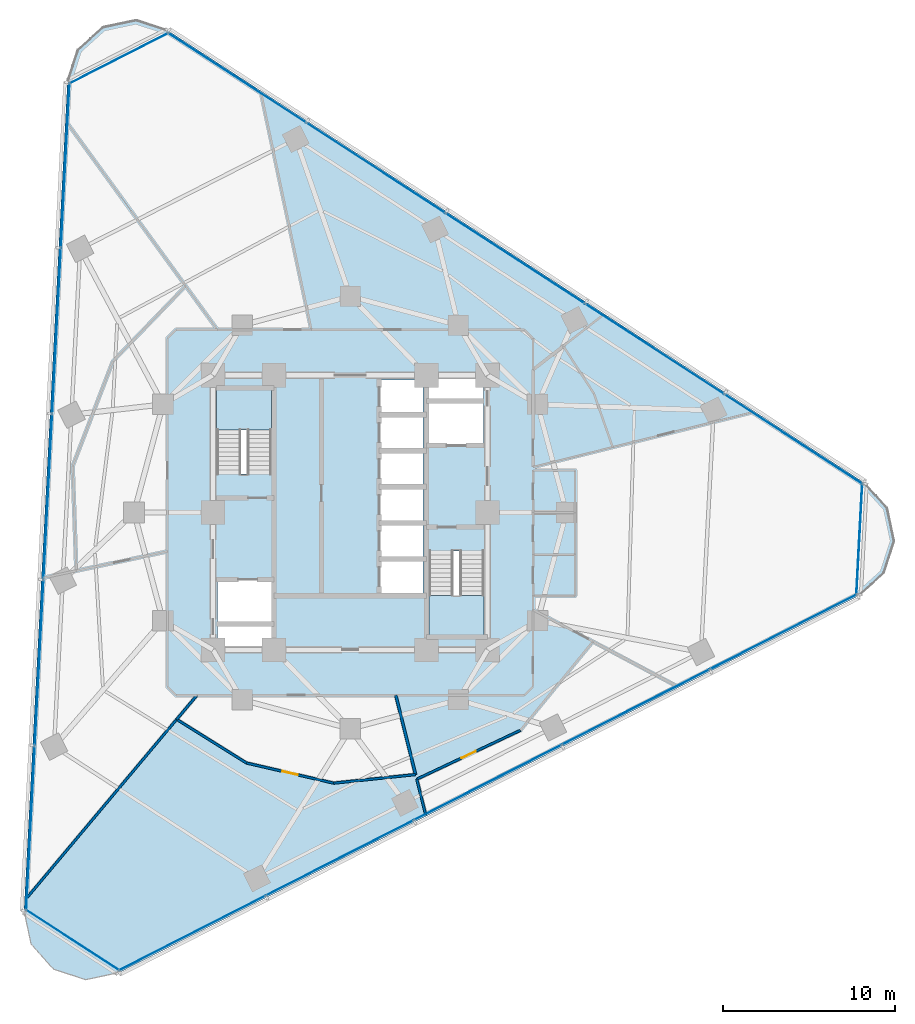
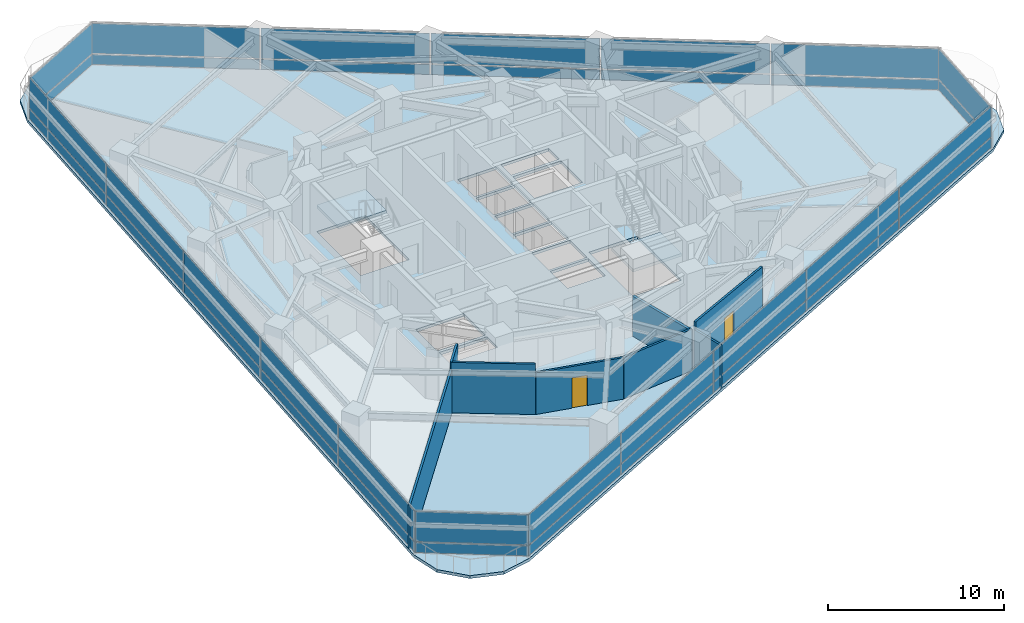
# One storey, part 7 of 14: 36 plates, 8 walls, 3 slabs, 2 doors, 2 openings, 8 elements without a shape of their own.
"""IFC4 building model written with IfcOpenShell, lengths in metres."""

from ifc_helpers import new_model, si_unit, direction, frame, frame_2d, origin, origin_2d, place, context, subcontext, project, spatial, polyline, rectangle, outline, extrude, material, layer, layer_set, type_object, element, fill, aggregate, save


model = new_model("IFC4")

# Units and contexts
model_context = context("Model", 3, precision=1e-05, world=origin(), true_north=direction((0.0, 1.0)))
body_context = subcontext(model_context, "Body", "Model", "MODEL_VIEW")
ifc_project = project(units=[si_unit("LENGTHUNIT", "METRE"), si_unit("AREAUNIT", "SQUARE_METRE"), si_unit("VOLUMEUNIT", "CUBIC_METRE"), si_unit("PLANEANGLEUNIT", "RADIAN"), si_unit("MASSUNIT", "GRAM", prefix="KILO")], contexts=[model_context])

# Site, building, storey
site_placement = place(None, origin())
site = spatial("IfcSite", under=ifc_project, at=site_placement, CompositionType="ELEMENT")
building_placement = place(site_placement, origin())
building = spatial("IfcBuilding", under=site, at=building_placement, Name="Terralouvre Media Tower", CompositionType="ELEMENT")
storey_placement = place(building_placement, frame((0.0, 0.0, 119.89990234375)))
storey = spatial("IfcBuildingStorey", under=building, at=storey_placement, Name="L30", CompositionType="ELEMENT", Elevation=119.89990234375)

# Slab
ifc_material_1 = material(Name="Concrete C40/50", Category="concrete")
ifc_layer_1 = layer(ifc_material_1, 0.199951171875, Name="Composite Tower Floor Slab S-TYP200")
ifc_layer_set_1 = layer_set([ifc_layer_1], Name="Concrete C40/50")
slab_type_1 = type_object("IfcSlabType", Name="Composite Tower Floor Slab S-TYP200", PredefinedType="FLOOR", material=ifc_layer_set_1)
slab_1_placement = place(storey_placement, frame((0.0, 0.0, -0.199951171875), z_axis=(0.0, 0.0, 1.0), x_axis=(0.891006524188, 0.45399049974, 0.0)))
element("IfcSlab", 1, at=slab_1_placement, inside=storey, type_object=slab_type_1, Name="L30 Structural Floor Slab", PredefinedType="FLOOR", context=body_context, shape_type="SweptSolid", body=[
    extrude(outline(polyline([(-27.490966796875, -12.07177734375), (-28.0, -13.971923828125), (-27.490966796875, -15.871826171875), (-26.10009765625, -17.2626953125), (-24.199951171875, -17.77197265625), (24.199951171875, -17.77197265625), (26.10009765625, -17.2626953125), (27.490966796875, -15.871826171875), (28.0, -13.971923828125), (27.490966796875, -12.07177734375), (3.291015625, 29.84375), (1.89990234375, 31.234619140625), (0.0, 31.74365234375), (-1.89990234375, 31.234619140625), (-3.291015625, 29.84375), (-27.490966796875, -12.07177734375)]), holes=[polyline([(-7.094970703125, -3.792236328125), (-7.6396484375, -4.861572265625), (-10.446533203125, -3.431396484375), (-9.901611328125, -2.3623046875), (-7.094970703125, -3.792236328125)]), polyline([(-7.004150390625, -3.614013671875), (-9.810791015625, -2.18408203125), (-8.698486328125, -0.0009765625), (-5.891845703125, -1.43115234375), (-7.004150390625, -3.614013671875)]), polyline([(4.504150390625, -0.521728515625), (2.276611328125, 0.61328125), (3.1572265625, 2.341796875), (5.384765625, 1.206787109375), (4.504150390625, -0.521728515625)]), polyline([(6.338134765625, 3.077880859375), (5.45751953125, 1.349365234375), (3.22998046875, 2.484375), (4.110595703125, 4.212890625), (6.338134765625, 3.077880859375)]), polyline([(-3.079345703125, 4.088623046875), (-5.912841796875, 5.532470703125), (-3.635986328125, 10.000732421875), (-0.802734375, 8.55712890625), (-3.079345703125, 4.088623046875)]), polyline([(6.410888671875, 3.220458984375), (4.183349609375, 4.35546875), (5.06396484375, 6.083984375), (7.29150390625, 4.94921875), (6.410888671875, 3.220458984375)]), polyline([(0.802734375, -8.55712890625), (3.079345703125, -4.088623046875), (5.912841796875, -5.532470703125), (3.635986328125, -10.000732421875), (0.802734375, -8.55712890625)]), polyline([(1.64404296875, -6.135009765625), (-0.58349609375, -5.0), (0.297119140625, -3.271484375), (2.524658203125, -4.406494140625), (1.64404296875, -6.135009765625)]), polyline([(2.597412109375, -4.263916015625), (0.369873046875, -3.12890625), (1.25048828125, -1.400390625), (3.47802734375, -2.535400390625), (2.597412109375, -4.263916015625)]), polyline([(4.431396484375, -0.664306640625), (3.55078125, -2.392822265625), (1.3232421875, -1.2578125), (2.203857421875, 0.470703125), (4.431396484375, -0.664306640625)]), polyline([(8.698486328125, 0.0009765625), (5.891845703125, 1.43115234375), (7.004150390625, 3.614013671875), (9.810791015625, 2.18408203125), (8.698486328125, 0.0009765625)]), polyline([(9.901611328125, 2.3623046875), (7.094970703125, 3.792236328125), (7.6396484375, 4.861572265625), (10.446533203125, 3.431396484375), (9.901611328125, 2.3623046875)])]), origin(), (0.0, 0.0, 1.0), 0.199951171875),
])

# Stair, slab
ifc_material_2 = material(Name="Concrete C45/55", Category="concrete")
stair_type_1 = type_object("IfcStairType", Name="Dogleg Stair Assembly ST-01", PredefinedType="HALF_TURN_STAIR", material=ifc_material_2)
stair_1_placement = place(storey_placement, origin())
stair_1 = element("IfcStair", 2, at=stair_1_placement, inside=storey, type_object=stair_type_1, Name="L30 Core Pressurised Exit Stair ST-01", PredefinedType="HALF_TURN_STAIR")
ifc_material_3 = material(Name="Concrete C45/55", Category="concrete")
ifc_layer_2 = layer(ifc_material_3, 0.199951171875, Name="Reinforced Concrete Stair Half-Landing SL-LD1")
ifc_layer_set_2 = layer_set([ifc_layer_2], Name="Concrete C45/55")
slab_type_2 = type_object("IfcSlabType", Name="Reinforced Concrete Stair Half-Landing SL-LD1", PredefinedType="LANDING", material=ifc_layer_set_2)
slab_2_placement = place(storey_placement, frame((0.0, 0.0, 1.650146484375)))
slab_2 = element("IfcSlab", 3, at=slab_2_placement, type_object=slab_type_2, Name="ST-01 landing 1", PredefinedType="LANDING", context=body_context, shape_type="SweptSolid", body=[
    extrude(outline(polyline([(-4.60009765625, 4.820068359375), (-4.60009765625, 7.260009765625), (-7.780029296875, 7.260009765625), (-7.780029296875, 4.820068359375), (-4.60009765625, 4.820068359375)])), origin(), (0.0, 0.0, 1.0), 0.199951171875),
])
aggregate(stair_1, [slab_2])

ifc_material_4 = material(Name="Concrete C45/55", Category="concrete")
stair_type_2 = type_object("IfcStairType", Name="Dogleg Stair Assembly ST-02", PredefinedType="HALF_TURN_STAIR", material=ifc_material_4)
stair_2_placement = place(storey_placement, origin())
stair_2 = element("IfcStair", 4, at=stair_2_placement, inside=storey, type_object=stair_type_2, Name="L30 Core Pressurised Exit Stair ST-02", PredefinedType="HALF_TURN_STAIR")
slab_3_placement = place(storey_placement, frame((0.0, 0.0, 1.650146484375)))
slab_3 = element("IfcSlab", 5, at=slab_3_placement, type_object=slab_type_2, Name="ST-02 landing 1", PredefinedType="LANDING", context=body_context, shape_type="SweptSolid", body=[
    extrude(outline(polyline([(4.60009765625, -4.820068359375), (4.60009765625, -7.260009765625), (7.780029296875, -7.260009765625), (7.780029296875, -4.820068359375), (4.60009765625, -4.820068359375)])), origin(), (0.0, 0.0, 1.0), 0.199951171875),
])
aggregate(stair_2, [slab_3])

# Curtain wall, plates
ifc_material_5 = material(Name="Low-iron laminated double glazing with solar-control coating", Category="glass")
ifc_layer_3 = layer(ifc_material_5, 0.1650390625, Name="Rounded Wind-Corner Curved Glazing CW-04")
ifc_layer_set_3 = layer_set([ifc_layer_3], Name="Low-iron laminated double glazing with solar-control coating")
curtain_wall_type_1 = type_object("IfcCurtainWallType", Name="Rounded Wind-Corner Curved Glazing CW-04", PredefinedType="NOTDEFINED", material=ifc_layer_set_3)
curtain_wall_1_placement = place(storey_placement, origin())
curtain_wall_1 = element("IfcCurtainWall", 6, at=curtain_wall_1_placement, inside=storey, type_object=curtain_wall_type_1, Name="L30 Rounded Wind-Corner Curtain Wall C0", PredefinedType="NOTDEFINED")
ifc_material_6 = material(Name="Low-iron laminated double glazing with solar-control coating", Category="glass")
ifc_layer_4 = layer(ifc_material_6, 0.0400390625, Name="Rounded Corner Laminated Vision Panel CWP-03")
ifc_layer_set_4 = layer_set([ifc_layer_4], Name="Low-iron laminated double glazing with solar-control coating")
plate_type_1 = type_object("IfcPlateType", Name="Rounded Corner Laminated Vision Panel CWP-03", PredefinedType="CURTAIN_PANEL", material=ifc_layer_set_4)
plate_1_placement = place(storey_placement, frame((-16.177734375, -24.91162109375, 0.0751953125), z_axis=(0.0, 0.0, 1.0), x_axis=(0.838670390568, -0.544639308152, 0.0)))
plate_1 = element("IfcPlate", 7, at=plate_1_placement, type_object=plate_type_1, Name="CW-04 panel 1.1", PredefinedType="CURTAIN_PANEL", context=body_context, shape_type="SweptSolid", body=[
    extrude(rectangle(XDim=6.431884765625, YDim=0.035888671875, at=origin_2d()), origin(), (0.0, 0.0, 1.0), 0.6875),
])
plate_2_placement = place(storey_placement, frame((-16.177734375, -24.91162109375, 0.837646484375), z_axis=(0.0, 0.0, 1.0), x_axis=(0.838670390568, -0.544639308152, 0.0)))
plate_2 = element("IfcPlate", 8, at=plate_2_placement, type_object=plate_type_1, Name="CW-04 panel 1.2", PredefinedType="CURTAIN_PANEL", context=body_context, shape_type="SweptSolid", body=[
    extrude(rectangle(XDim=6.431884765625, YDim=0.035888671875, at=origin_2d()), origin(), (0.0, 0.0, 1.0), 2.08740234375),
])
aggregate(curtain_wall_1, [plate_1, plate_2])

curtain_wall_2_placement = place(storey_placement, origin())
curtain_wall_2 = element("IfcCurtainWall", 9, at=curtain_wall_2_placement, inside=storey, type_object=curtain_wall_type_1, Name="L30 Rounded Wind-Corner Curtain Wall C1", PredefinedType="NOTDEFINED")
plate_3_placement = place(storey_placement, frame((29.6630859375, -1.5546875, 0.0751953125), z_axis=(0.0, 0.0, 1.0), x_axis=(0.052336823006, 0.998629489329, 0.0)))
plate_3 = element("IfcPlate", 10, at=plate_3_placement, type_object=plate_type_1, Name="CW-04 panel 1.1", PredefinedType="CURTAIN_PANEL", context=body_context, shape_type="SweptSolid", body=[
    extrude(rectangle(XDim=6.431884765625, YDim=0.035888671875, at=origin_2d()), origin(), (0.0, 0.0, 1.0), 0.6875),
])
plate_4_placement = place(storey_placement, frame((29.6630859375, -1.5546875, 0.837646484375), z_axis=(0.0, 0.0, 1.0), x_axis=(0.052336823006, 0.998629489329, 0.0)))
plate_4 = element("IfcPlate", 11, at=plate_4_placement, type_object=plate_type_1, Name="CW-04 panel 1.2", PredefinedType="CURTAIN_PANEL", context=body_context, shape_type="SweptSolid", body=[
    extrude(rectangle(XDim=6.431884765625, YDim=0.035888671875, at=origin_2d()), origin(), (0.0, 0.0, 1.0), 2.08740234375),
])
aggregate(curtain_wall_2, [plate_3, plate_4])

curtain_wall_3_placement = place(storey_placement, origin())
curtain_wall_3 = element("IfcCurtainWall", 12, at=curtain_wall_3_placement, inside=storey, type_object=curtain_wall_type_1, Name="L30 Rounded Wind-Corner Curtain Wall C2", PredefinedType="NOTDEFINED")
plate_5_placement = place(storey_placement, frame((-13.485107421875, 26.46630859375, 0.0751953125), z_axis=(0.0, 0.0, 1.0), x_axis=(-0.891006600184, -0.45399035059, 0.0)))
plate_5 = element("IfcPlate", 13, at=plate_5_placement, type_object=plate_type_1, Name="CW-04 panel 1.1", PredefinedType="CURTAIN_PANEL", context=body_context, shape_type="SweptSolid", body=[
    extrude(rectangle(XDim=6.431884765625, YDim=0.035888671875, at=origin_2d()), origin(), (0.0, 0.0, 1.0), 0.6875),
])
plate_6_placement = place(storey_placement, frame((-13.485107421875, 26.46630859375, 0.837646484375), z_axis=(0.0, 0.0, 1.0), x_axis=(-0.891006600184, -0.45399035059, 0.0)))
plate_6 = element("IfcPlate", 14, at=plate_6_placement, type_object=plate_type_1, Name="CW-04 panel 1.2", PredefinedType="CURTAIN_PANEL", context=body_context, shape_type="SweptSolid", body=[
    extrude(rectangle(XDim=6.431884765625, YDim=0.035888671875, at=origin_2d()), origin(), (0.0, 0.0, 1.0), 2.08740234375),
])
aggregate(curtain_wall_3, [plate_5, plate_6])

ifc_material_7 = material(Name="Low-iron laminated double glazing with solar-control coating", Category="glass")
ifc_layer_5 = layer(ifc_material_7, 0.1650390625, Name="Production Studio Tower Curtain Wall CW-03")
ifc_layer_set_5 = layer_set([ifc_layer_5], Name="Low-iron laminated double glazing with solar-control coating")
curtain_wall_type_2 = type_object("IfcCurtainWallType", Name="Production Studio Tower Curtain Wall CW-03", PredefinedType="NOTDEFINED", material=ifc_layer_set_5)
curtain_wall_4_placement = place(storey_placement, origin())
curtain_wall_4 = element("IfcCurtainWall", 15, at=curtain_wall_4_placement, inside=storey, type_object=curtain_wall_type_2, Name="L30 Facade Curtain Wall F0", PredefinedType="NOTDEFINED")
ifc_material_8 = material(Name="Low-iron laminated double glazing with solar-control coating", Category="glass")
ifc_layer_6 = layer(ifc_material_8, 0.035888671875, Name="Vision Double-Glazed Unit CWP-01")
ifc_layer_set_6 = layer_set([ifc_layer_6], Name="Low-iron laminated double glazing with solar-control coating")
plate_type_2 = type_object("IfcPlateType", Name="Vision Double-Glazed Unit CWP-01", PredefinedType="CURTAIN_PANEL", material=ifc_layer_set_6)
plate_7_placement = place(storey_placement, frame((-9.219482421875, -24.5087890625, 0.0751953125), z_axis=(0.0, 0.0, 1.0), x_axis=(0.891006501178, 0.4539905449, 0.0)))
plate_7 = element("IfcPlate", 16, at=plate_7_placement, type_object=plate_type_2, Name="CW-03 panel 1.1", PredefinedType="CURTAIN_PANEL", context=body_context, shape_type="SweptSolid", body=[
    extrude(rectangle(XDim=9.5673828125, YDim=0.035888671875, at=origin_2d()), origin(), (0.0, 0.0, 1.0), 0.6875),
])
plate_8_placement = place(storey_placement, frame((-9.219482421875, -24.5087890625, 0.837646484375), z_axis=(0.0, 0.0, 1.0), x_axis=(0.891006501178, 0.4539905449, 0.0)))
plate_8 = element("IfcPlate", 17, at=plate_8_placement, type_object=plate_type_2, Name="CW-03 panel 1.2", PredefinedType="CURTAIN_PANEL", context=body_context, shape_type="SweptSolid", body=[
    extrude(rectangle(XDim=9.5673828125, YDim=0.035888671875, at=origin_2d()), origin(), (0.0, 0.0, 1.0), 2.08740234375),
])
plate_9_placement = place(storey_placement, frame((-0.611083984375, -20.12255859375, 0.0751953125), z_axis=(0.0, 0.0, 1.0), x_axis=(0.891006501178, 0.4539905449, 0.0)))
plate_9 = element("IfcPlate", 18, at=plate_9_placement, type_object=plate_type_2, Name="CW-03 panel 2.1", PredefinedType="CURTAIN_PANEL", context=body_context, shape_type="SweptSolid", body=[
    extrude(rectangle(XDim=9.60498046875, YDim=0.035888671875, at=origin_2d()), origin(), (0.0, 0.0, 1.0), 0.6875),
])
plate_10_placement = place(storey_placement, frame((-0.611083984375, -20.12255859375, 0.837646484375), z_axis=(0.0, 0.0, 1.0), x_axis=(0.891006501178, 0.4539905449, 0.0)))
plate_10 = element("IfcPlate", 19, at=plate_10_placement, type_object=plate_type_2, Name="CW-03 panel 2.2", PredefinedType="CURTAIN_PANEL", context=body_context, shape_type="SweptSolid", body=[
    extrude(rectangle(XDim=9.60498046875, YDim=0.035888671875, at=origin_2d()), origin(), (0.0, 0.0, 1.0), 2.08740234375),
])
plate_11_placement = place(storey_placement, frame((8.013671875, -15.72802734375, 0.0751953125), z_axis=(0.0, 0.0, 1.0), x_axis=(0.891006501178, 0.4539905449, 0.0)))
plate_11 = element("IfcPlate", 20, at=plate_11_placement, type_object=plate_type_2, Name="CW-03 panel 3.1", PredefinedType="CURTAIN_PANEL", context=body_context, shape_type="SweptSolid", body=[
    extrude(rectangle(XDim=9.60498046875, YDim=0.035888671875, at=origin_2d()), origin(), (0.0, 0.0, 1.0), 0.6875),
])
plate_12_placement = place(storey_placement, frame((8.013671875, -15.72802734375, 0.837646484375), z_axis=(0.0, 0.0, 1.0), x_axis=(0.891006501178, 0.4539905449, 0.0)))
plate_12 = element("IfcPlate", 21, at=plate_12_placement, type_object=plate_type_2, Name="CW-03 panel 3.2", PredefinedType="CURTAIN_PANEL", context=body_context, shape_type="SweptSolid", body=[
    extrude(rectangle(XDim=9.60498046875, YDim=0.035888671875, at=origin_2d()), origin(), (0.0, 0.0, 1.0), 2.08740234375),
])
plate_13_placement = place(storey_placement, frame((16.638671875, -11.333251953125, 0.0751953125), z_axis=(0.0, 0.0, 1.0), x_axis=(0.891006501178, 0.4539905449, 0.0)))
plate_13 = element("IfcPlate", 22, at=plate_13_placement, type_object=plate_type_2, Name="CW-03 panel 4.1", PredefinedType="CURTAIN_PANEL", context=body_context, shape_type="SweptSolid", body=[
    extrude(rectangle(XDim=9.60498046875, YDim=0.035888671875, at=origin_2d()), origin(), (0.0, 0.0, 1.0), 0.6875),
])
plate_14_placement = place(storey_placement, frame((16.638671875, -11.333251953125, 0.837646484375), z_axis=(0.0, 0.0, 1.0), x_axis=(0.891006501178, 0.4539905449, 0.0)))
plate_14 = element("IfcPlate", 23, at=plate_14_placement, type_object=plate_type_2, Name="CW-03 panel 4.2", PredefinedType="CURTAIN_PANEL", context=body_context, shape_type="SweptSolid", body=[
    extrude(rectangle(XDim=9.60498046875, YDim=0.035888671875, at=origin_2d()), origin(), (0.0, 0.0, 1.0), 2.08740234375),
])
plate_15_placement = place(storey_placement, frame((25.2470703125, -6.947265625, 0.0751953125), z_axis=(0.0, 0.0, 1.0), x_axis=(0.891006501178, 0.4539905449, 0.0)))
plate_15 = element("IfcPlate", 24, at=plate_15_placement, type_object=plate_type_2, Name="CW-03 panel 5.1", PredefinedType="CURTAIN_PANEL", context=body_context, shape_type="SweptSolid", body=[
    extrude(rectangle(XDim=9.5673828125, YDim=0.035888671875, at=origin_2d()), origin(), (0.0, 0.0, 1.0), 0.6875),
])
plate_16_placement = place(storey_placement, frame((25.2470703125, -6.947265625, 0.837646484375), z_axis=(0.0, 0.0, 1.0), x_axis=(0.891006501178, 0.4539905449, 0.0)))
plate_16 = element("IfcPlate", 25, at=plate_16_placement, type_object=plate_type_2, Name="CW-03 panel 5.2", PredefinedType="CURTAIN_PANEL", context=body_context, shape_type="SweptSolid", body=[
    extrude(rectangle(XDim=9.5673828125, YDim=0.035888671875, at=origin_2d()), origin(), (0.0, 0.0, 1.0), 2.08740234375),
])
aggregate(curtain_wall_4, [plate_7, plate_8, plate_9, plate_10, plate_11, plate_12, plate_13, plate_14, plate_15, plate_16])

curtain_wall_5_placement = place(storey_placement, origin())
curtain_wall_5 = element("IfcCurtainWall", 26, at=curtain_wall_5_placement, inside=storey, type_object=curtain_wall_type_2, Name="L30 Facade Curtain Wall F1", PredefinedType="NOTDEFINED")
plate_17_placement = place(storey_placement, frame((25.8349609375, 4.27001953125, 0.0751953125), z_axis=(0.0, 0.0, 1.0), x_axis=(-0.838670588944, 0.544639002681, 0.0)))
plate_17 = element("IfcPlate", 27, at=plate_17_placement, type_object=plate_type_2, Name="CW-03 panel 1.1", PredefinedType="CURTAIN_PANEL", context=body_context, shape_type="SweptSolid", body=[
    extrude(rectangle(XDim=9.5673828125, YDim=0.035888671875, at=origin_2d()), origin(), (0.0, 0.0, 1.0), 0.6875),
])
plate_18_placement = place(storey_placement, frame((25.8349609375, 4.27001953125, 0.837646484375), z_axis=(0.0, 0.0, 1.0), x_axis=(-0.838670588944, 0.544639002681, 0.0)))
plate_18 = element("IfcPlate", 28, at=plate_18_placement, type_object=plate_type_2, Name="CW-03 panel 1.2", PredefinedType="CURTAIN_PANEL", context=body_context, shape_type="SweptSolid", body=[
    extrude(rectangle(XDim=9.5673828125, YDim=0.035888671875, at=origin_2d()), origin(), (0.0, 0.0, 1.0), 2.08740234375),
])
plate_19_placement = place(storey_placement, frame((17.732177734375, 9.531982421875, 0.0751953125), z_axis=(0.0, 0.0, 1.0), x_axis=(-0.838670588944, 0.544639002681, 0.0)))
plate_19 = element("IfcPlate", 29, at=plate_19_placement, type_object=plate_type_2, Name="CW-03 panel 2.1", PredefinedType="CURTAIN_PANEL", context=body_context, shape_type="SweptSolid", body=[
    extrude(rectangle(XDim=9.60498046875, YDim=0.035888671875, at=origin_2d()), origin(), (0.0, 0.0, 1.0), 0.6875),
])
plate_20_placement = place(storey_placement, frame((17.732177734375, 9.531982421875, 0.837646484375), z_axis=(0.0, 0.0, 1.0), x_axis=(-0.838670588944, 0.544639002681, 0.0)))
plate_20 = element("IfcPlate", 30, at=plate_20_placement, type_object=plate_type_2, Name="CW-03 panel 2.2", PredefinedType="CURTAIN_PANEL", context=body_context, shape_type="SweptSolid", body=[
    extrude(rectangle(XDim=9.60498046875, YDim=0.035888671875, at=origin_2d()), origin(), (0.0, 0.0, 1.0), 2.08740234375),
])
plate_21_placement = place(storey_placement, frame((9.614013671875, 14.80419921875, 0.0751953125), z_axis=(0.0, 0.0, 1.0), x_axis=(-0.838670588944, 0.544639002681, 0.0)))
plate_21 = element("IfcPlate", 31, at=plate_21_placement, type_object=plate_type_2, Name="CW-03 panel 3.1", PredefinedType="CURTAIN_PANEL", context=body_context, shape_type="SweptSolid", body=[
    extrude(rectangle(XDim=9.60498046875, YDim=0.035888671875, at=origin_2d()), origin(), (0.0, 0.0, 1.0), 0.6875),
])
plate_22_placement = place(storey_placement, frame((9.614013671875, 14.80419921875, 0.837646484375), z_axis=(0.0, 0.0, 1.0), x_axis=(-0.838670588944, 0.544639002681, 0.0)))
plate_22 = element("IfcPlate", 32, at=plate_22_placement, type_object=plate_type_2, Name="CW-03 panel 3.2", PredefinedType="CURTAIN_PANEL", context=body_context, shape_type="SweptSolid", body=[
    extrude(rectangle(XDim=9.60498046875, YDim=0.035888671875, at=origin_2d()), origin(), (0.0, 0.0, 1.0), 2.08740234375),
])
plate_23_placement = place(storey_placement, frame((1.49560546875, 20.076171875, 0.0751953125), z_axis=(0.0, 0.0, 1.0), x_axis=(-0.838670588944, 0.544639002681, 0.0)))
plate_23 = element("IfcPlate", 33, at=plate_23_placement, type_object=plate_type_2, Name="CW-03 panel 4.1", PredefinedType="CURTAIN_PANEL", context=body_context, shape_type="SweptSolid", body=[
    extrude(rectangle(XDim=9.60498046875, YDim=0.035888671875, at=origin_2d()), origin(), (0.0, 0.0, 1.0), 0.6875),
])
plate_24_placement = place(storey_placement, frame((1.49560546875, 20.076171875, 0.837646484375), z_axis=(0.0, 0.0, 1.0), x_axis=(-0.838670588944, 0.544639002681, 0.0)))
plate_24 = element("IfcPlate", 34, at=plate_24_placement, type_object=plate_type_2, Name="CW-03 panel 4.2", PredefinedType="CURTAIN_PANEL", context=body_context, shape_type="SweptSolid", body=[
    extrude(rectangle(XDim=9.60498046875, YDim=0.035888671875, at=origin_2d()), origin(), (0.0, 0.0, 1.0), 2.08740234375),
])
plate_25_placement = place(storey_placement, frame((-6.60693359375, 25.338134765625, 0.0751953125), z_axis=(0.0, 0.0, 1.0), x_axis=(-0.838670588944, 0.544639002681, 0.0)))
plate_25 = element("IfcPlate", 35, at=plate_25_placement, type_object=plate_type_2, Name="CW-03 panel 5.1", PredefinedType="CURTAIN_PANEL", context=body_context, shape_type="SweptSolid", body=[
    extrude(rectangle(XDim=9.5673828125, YDim=0.035888671875, at=origin_2d()), origin(), (0.0, 0.0, 1.0), 0.6875),
])
plate_26_placement = place(storey_placement, frame((-6.60693359375, 25.338134765625, 0.837646484375), z_axis=(0.0, 0.0, 1.0), x_axis=(-0.838670588944, 0.544639002681, 0.0)))
plate_26 = element("IfcPlate", 36, at=plate_26_placement, type_object=plate_type_2, Name="CW-03 panel 5.2", PredefinedType="CURTAIN_PANEL", context=body_context, shape_type="SweptSolid", body=[
    extrude(rectangle(XDim=9.5673828125, YDim=0.035888671875, at=origin_2d()), origin(), (0.0, 0.0, 1.0), 2.08740234375),
])
aggregate(curtain_wall_5, [plate_17, plate_18, plate_19, plate_20, plate_21, plate_22, plate_23, plate_24, plate_25, plate_26])

curtain_wall_6_placement = place(storey_placement, origin())
curtain_wall_6 = element("IfcCurtainWall", 37, at=curtain_wall_6_placement, inside=storey, type_object=curtain_wall_type_2, Name="L30 Facade Curtain Wall F2", PredefinedType="NOTDEFINED")
plate_27_placement = place(storey_placement, frame((-16.615478515625, 20.238525390625, 0.0751953125), z_axis=(0.0, 0.0, 1.0), x_axis=(-0.052335949864, -0.998629535089, 0.0)))
plate_27 = element("IfcPlate", 38, at=plate_27_placement, type_object=plate_type_2, Name="CW-03 panel 1.1", PredefinedType="CURTAIN_PANEL", context=body_context, shape_type="SweptSolid", body=[
    extrude(rectangle(XDim=9.5673828125, YDim=0.035888671875, at=origin_2d()), origin(), (0.0, 0.0, 1.0), 0.6875),
])
plate_28_placement = place(storey_placement, frame((-16.615478515625, 20.238525390625, 0.837646484375), z_axis=(0.0, 0.0, 1.0), x_axis=(-0.052335949864, -0.998629535089, 0.0)))
plate_28 = element("IfcPlate", 39, at=plate_28_placement, type_object=plate_type_2, Name="CW-03 panel 1.2", PredefinedType="CURTAIN_PANEL", context=body_context, shape_type="SweptSolid", body=[
    extrude(rectangle(XDim=9.5673828125, YDim=0.035888671875, at=origin_2d()), origin(), (0.0, 0.0, 1.0), 2.08740234375),
])
plate_29_placement = place(storey_placement, frame((-17.12109375, 10.590576171875, 0.0751953125), z_axis=(0.0, 0.0, 1.0), x_axis=(-0.052335949864, -0.998629535089, 0.0)))
plate_29 = element("IfcPlate", 40, at=plate_29_placement, type_object=plate_type_2, Name="CW-03 panel 2.1", PredefinedType="CURTAIN_PANEL", context=body_context, shape_type="SweptSolid", body=[
    extrude(rectangle(XDim=9.60498046875, YDim=0.035888671875, at=origin_2d()), origin(), (0.0, 0.0, 1.0), 0.6875),
])
plate_30_placement = place(storey_placement, frame((-17.12109375, 10.590576171875, 0.837646484375), z_axis=(0.0, 0.0, 1.0), x_axis=(-0.052335949864, -0.998629535089, 0.0)))
plate_30 = element("IfcPlate", 41, at=plate_30_placement, type_object=plate_type_2, Name="CW-03 panel 2.2", PredefinedType="CURTAIN_PANEL", context=body_context, shape_type="SweptSolid", body=[
    extrude(rectangle(XDim=9.60498046875, YDim=0.035888671875, at=origin_2d()), origin(), (0.0, 0.0, 1.0), 2.08740234375),
])
plate_31_placement = place(storey_placement, frame((-17.627685546875, 0.923828125, 0.0751953125), z_axis=(0.0, 0.0, 1.0), x_axis=(-0.052335949864, -0.998629535089, 0.0)))
plate_31 = element("IfcPlate", 42, at=plate_31_placement, type_object=plate_type_2, Name="CW-03 panel 3.1", PredefinedType="CURTAIN_PANEL", context=body_context, shape_type="SweptSolid", body=[
    extrude(rectangle(XDim=9.60498046875, YDim=0.035888671875, at=origin_2d()), origin(), (0.0, 0.0, 1.0), 0.6875),
])
plate_32_placement = place(storey_placement, frame((-17.627685546875, 0.923828125, 0.837646484375), z_axis=(0.0, 0.0, 1.0), x_axis=(-0.052335949864, -0.998629535089, 0.0)))
plate_32 = element("IfcPlate", 43, at=plate_32_placement, type_object=plate_type_2, Name="CW-03 panel 3.2", PredefinedType="CURTAIN_PANEL", context=body_context, shape_type="SweptSolid", body=[
    extrude(rectangle(XDim=9.60498046875, YDim=0.035888671875, at=origin_2d()), origin(), (0.0, 0.0, 1.0), 2.08740234375),
])
plate_33_placement = place(storey_placement, frame((-18.13427734375, -8.742919921875, 0.0751953125), z_axis=(0.0, 0.0, 1.0), x_axis=(-0.052335949864, -0.998629535089, 0.0)))
plate_33 = element("IfcPlate", 44, at=plate_33_placement, type_object=plate_type_2, Name="CW-03 panel 4.1", PredefinedType="CURTAIN_PANEL", context=body_context, shape_type="SweptSolid", body=[
    extrude(rectangle(XDim=9.60498046875, YDim=0.035888671875, at=origin_2d()), origin(), (0.0, 0.0, 1.0), 0.6875),
])
plate_34_placement = place(storey_placement, frame((-18.13427734375, -8.742919921875, 0.837646484375), z_axis=(0.0, 0.0, 1.0), x_axis=(-0.052335949864, -0.998629535089, 0.0)))
plate_34 = element("IfcPlate", 45, at=plate_34_placement, type_object=plate_type_2, Name="CW-03 panel 4.2", PredefinedType="CURTAIN_PANEL", context=body_context, shape_type="SweptSolid", body=[
    extrude(rectangle(XDim=9.60498046875, YDim=0.035888671875, at=origin_2d()), origin(), (0.0, 0.0, 1.0), 2.08740234375),
])
plate_35_placement = place(storey_placement, frame((-18.639892578125, -18.390869140625, 0.0751953125), z_axis=(0.0, 0.0, 1.0), x_axis=(-0.052335949864, -0.998629535089, 0.0)))
plate_35 = element("IfcPlate", 46, at=plate_35_placement, type_object=plate_type_2, Name="CW-03 panel 5.1", PredefinedType="CURTAIN_PANEL", context=body_context, shape_type="SweptSolid", body=[
    extrude(rectangle(XDim=9.5673828125, YDim=0.035888671875, at=origin_2d()), origin(), (0.0, 0.0, 1.0), 0.6875),
])
plate_36_placement = place(storey_placement, frame((-18.639892578125, -18.390869140625, 0.837646484375), z_axis=(0.0, 0.0, 1.0), x_axis=(-0.052335949864, -0.998629535089, 0.0)))
plate_36 = element("IfcPlate", 47, at=plate_36_placement, type_object=plate_type_2, Name="CW-03 panel 5.2", PredefinedType="CURTAIN_PANEL", context=body_context, shape_type="SweptSolid", body=[
    extrude(rectangle(XDim=9.5673828125, YDim=0.035888671875, at=origin_2d()), origin(), (0.0, 0.0, 1.0), 2.08740234375),
])
aggregate(curtain_wall_6, [plate_27, plate_28, plate_29, plate_30, plate_31, plate_32, plate_33, plate_34, plate_35, plate_36])

# Walls
ifc_material_9 = material(Name="Fire-rated gypsum board drywall partition")
ifc_layer_7 = layer(ifc_material_9, 0.135009765625, Name="Newsroom Acoustic Partition PT-135")
ifc_layer_set_7 = layer_set([ifc_layer_7], Name="Fire-rated gypsum board drywall partition")
wall_type_1 = type_object("IfcWallType", Name="Newsroom Acoustic Partition PT-135", PredefinedType="PARTITIONING", material=ifc_layer_set_7)
wall_1_placement = place(storey_placement, frame((-18.896484375, -22.51953125, 0.0), z_axis=(0.0, 0.0, 1.0), x_axis=(0.642815636807, 0.766020924698, 0.0)))
element("IfcWall", 48, at=wall_1_placement, inside=storey, type_object=wall_type_1, Name="L30 Interior Partition 020", PredefinedType="PARTITIONING", context=body_context, shape_type="SweptSolid", body=[
    extrude(rectangle(XDim=13.660888671875, YDim=0.135009765625, at=frame_2d((6.83056640625, 0.0))), origin(), (0.0, 0.0, 1.0), 2.985107421875),
])
wall_2_placement = place(storey_placement, frame((-10.114990234375, -12.054931640625, 0.0), z_axis=(0.0, 0.0, 1.0), x_axis=(0.64278617419, 0.766045647642, 0.0)))
element("IfcWall", 49, at=wall_2_placement, inside=storey, type_object=wall_type_1, Name="L30 Interior Partition 021", PredefinedType="PARTITIONING", context=body_context, shape_type="SweptSolid", body=[
    extrude(rectangle(XDim=1.834228515625, YDim=0.135009765625, at=frame_2d((0.9169921875, 0.0))), origin(), (0.0, 0.0, 1.0), 3.5),
])
wall_3_placement = place(storey_placement, frame((3.806884765625, -15.26904296875, 0.0), z_axis=(0.0, 0.0, 1.0), x_axis=(-0.994513256503, -0.104610623932, 0.0)))
element("IfcWall", 50, at=wall_3_placement, inside=storey, type_object=wall_type_1, Name="L30 Interior Partition 024", PredefinedType="PARTITIONING", context=body_context, shape_type="SweptSolid", body=[
    extrude(rectangle(XDim=4.79833984375, YDim=0.135009765625, at=frame_2d((2.399169921875, 0.0))), origin(), (0.0, 0.0, 1.0), 2.885009765625),
])

# Wall, opening, door
wall_4_placement = place(storey_placement, frame((-0.965087890625, -15.77099609375, 0.0), z_axis=(0.0, 0.0, 1.0), x_axis=(-0.974324872008, 0.225146716135, 0.0)))
wall_4 = element("IfcWall", 51, at=wall_4_placement, inside=storey, type_object=wall_type_1, Name="L30 Interior Partition 025", PredefinedType="PARTITIONING", context=body_context, shape_type="SweptSolid", body=[
    extrude(rectangle(XDim=5.214599609375, YDim=0.135009765625, at=frame_2d((2.607421875, 0.0))), origin(), (0.0, 0.0, 1.0), 2.885009765625),
])
opening_1_placement = place(wall_4_placement, frame((2.1474609375, 0.0, 0.0)))
opening_1 = element("IfcOpeningElement", 52, at=opening_1_placement, cuts=wall_4, Name="Opening ID-03-92X210", PredefinedType="OPENING", context=body_context, shape_type="SweptSolid", body=[
    extrude(rectangle(XDim=0.919921875, YDim=2.10009765625, at=frame_2d((0.4599609375, 1.050048828125))), frame((0.0, 0.077392578125, 0.0), z_axis=(0.0, -1.0, 0.0), x_axis=(1.0, 0.0, 0.0)), (0.0, 0.0, 1.0), 0.155029296875),
])
ifc_material_10 = material(Name="Engineered hardwood acoustic timber leaf", Category="wood")
door_type = type_object("IfcDoorType", Name="Accessible Restroom and Suite Door ID-03 (920x2100)", OperationType="NOTDEFINED", PredefinedType="DOOR", material=ifc_material_10)
door_1_placement = place(opening_1_placement, origin())
door_1 = element("IfcDoor", 53, at=door_1_placement, inside=storey, type_object=door_type, Name="L30 Trophy and Kit Archive Storage 2 Door", OperationType="SINGLE_SWING_RIGHT", OverallHeight=2.10009765625, OverallWidth=0.919921875, PredefinedType="DOOR", context=body_context, shape_type="SweptSolid", body=[
    extrude(rectangle(XDim=0.919921875, YDim=2.10009765625, at=frame_2d((0.4599609375, 1.050048828125))), frame((0.0, 0.02490234375, 0.0), z_axis=(0.0, -1.0, 0.0), x_axis=(1.0, 0.0, 0.0)), (0.0, 0.0, 1.0), 0.050048828125),
])
fill(opening_1, door_1)

# Walls
wall_5_placement = place(storey_placement, frame((-6.0458984375, -14.596923828125, 0.0), z_axis=(0.0, 0.0, 1.0), x_axis=(-0.848109776096, 0.529820542912, 0.0)))
element("IfcWall", 54, at=wall_5_placement, inside=storey, type_object=wall_type_1, Name="L30 Interior Partition 026", PredefinedType="PARTITIONING", context=body_context, shape_type="SweptSolid", body=[
    extrude(rectangle(XDim=4.7978515625, YDim=0.135009765625, at=frame_2d((2.39892578125, 0.0))), origin(), (0.0, 0.0, 1.0), 3.5),
])
wall_6_placement = place(storey_placement, frame((4.392822265625, -17.617919921875, 0.0), z_axis=(0.0, 0.0, 1.0), x_axis=(-0.242107483306, 0.970249435211, 0.0)))
element("IfcWall", 55, at=wall_6_placement, inside=storey, type_object=wall_type_1, Name="L30 Interior Partition 027", PredefinedType="PARTITIONING", context=body_context, shape_type="SweptSolid", body=[
    extrude(rectangle(XDim=2.14697265625, YDim=0.135009765625, at=frame_2d((1.073486328125, 0.0))), origin(), (0.0, 0.0, 1.0), 2.985107421875),
])

# Wall, opening, door
wall_7_placement = place(storey_placement, frame((3.873046875, -15.534912109375, 0.0), z_axis=(0.0, 0.0, 1.0), x_axis=(0.904472849066, 0.426531200855, 0.0)))
wall_7 = element("IfcWall", 56, at=wall_7_placement, inside=storey, type_object=wall_type_1, Name="L30 Interior Partition 029", PredefinedType="PARTITIONING", context=body_context, shape_type="SweptSolid", body=[
    extrude(rectangle(XDim=6.677001953125, YDim=0.135009765625, at=frame_2d((3.33837890625, 0.0))), origin(), (0.0, 0.0, 1.0), 3.5),
])
opening_2_placement = place(wall_7_placement, frame((2.87841796875, 0.0, 0.0)))
opening_2 = element("IfcOpeningElement", 57, at=opening_2_placement, cuts=wall_7, Name="Opening ID-03-92X210", PredefinedType="OPENING", context=body_context, shape_type="SweptSolid", body=[
    extrude(rectangle(XDim=0.919921875, YDim=2.10009765625, at=frame_2d((0.4599609375, 1.050048828125))), frame((0.0, 0.077392578125, 0.0), z_axis=(0.0, -1.0, 0.0), x_axis=(1.0, 0.0, 0.0)), (0.0, 0.0, 1.0), 0.155029296875),
])
door_2_placement = place(opening_2_placement, origin())
door_2 = element("IfcDoor", 58, at=door_2_placement, inside=storey, type_object=door_type, Name="L30 Tournament Highlights Cinema 5 Door", OperationType="SINGLE_SWING_LEFT", OverallHeight=2.10009765625, OverallWidth=0.919921875, PredefinedType="DOOR", context=body_context, shape_type="SweptSolid", body=[
    extrude(rectangle(XDim=0.919921875, YDim=2.10009765625, at=frame_2d((0.4599609375, 1.050048828125))), frame((0.0, 0.02490234375, 0.0), z_axis=(0.0, -1.0, 0.0), x_axis=(1.0, 0.0, 0.0)), (0.0, 0.0, 1.0), 0.050048828125),
])
fill(opening_2, door_2)

# Wall
ifc_material_11 = material(Name="Fire-rated gypsum board drywall partition")
ifc_layer_8 = layer(ifc_material_11, 0.159912109375, Name="Studio Acoustic Rated Partition PT-160")
ifc_layer_set_8 = layer_set([ifc_layer_8], Name="Fire-rated gypsum board drywall partition")
wall_type_2 = type_object("IfcWallType", Name="Studio Acoustic Rated Partition PT-160", PredefinedType="PARTITIONING", material=ifc_layer_set_8)
wall_8_placement = place(storey_placement, frame((3.806884765625, -15.26904296875, 0.0), z_axis=(0.0, 0.0, 1.0), x_axis=(-0.241956377954, 0.970287128209, 0.0)))
element("IfcWall", 59, at=wall_8_placement, inside=storey, type_object=wall_type_2, Name="L30 Interior Partition 028", PredefinedType="PARTITIONING", context=body_context, shape_type="SweptSolid", body=[
    extrude(rectangle(XDim=4.760498046875, YDim=0.159912109375, at=frame_2d((2.38037109375, 0.0))), origin(), (0.0, 0.0, 1.0), 2.78515625),
])

save(model, "model.ifc")
